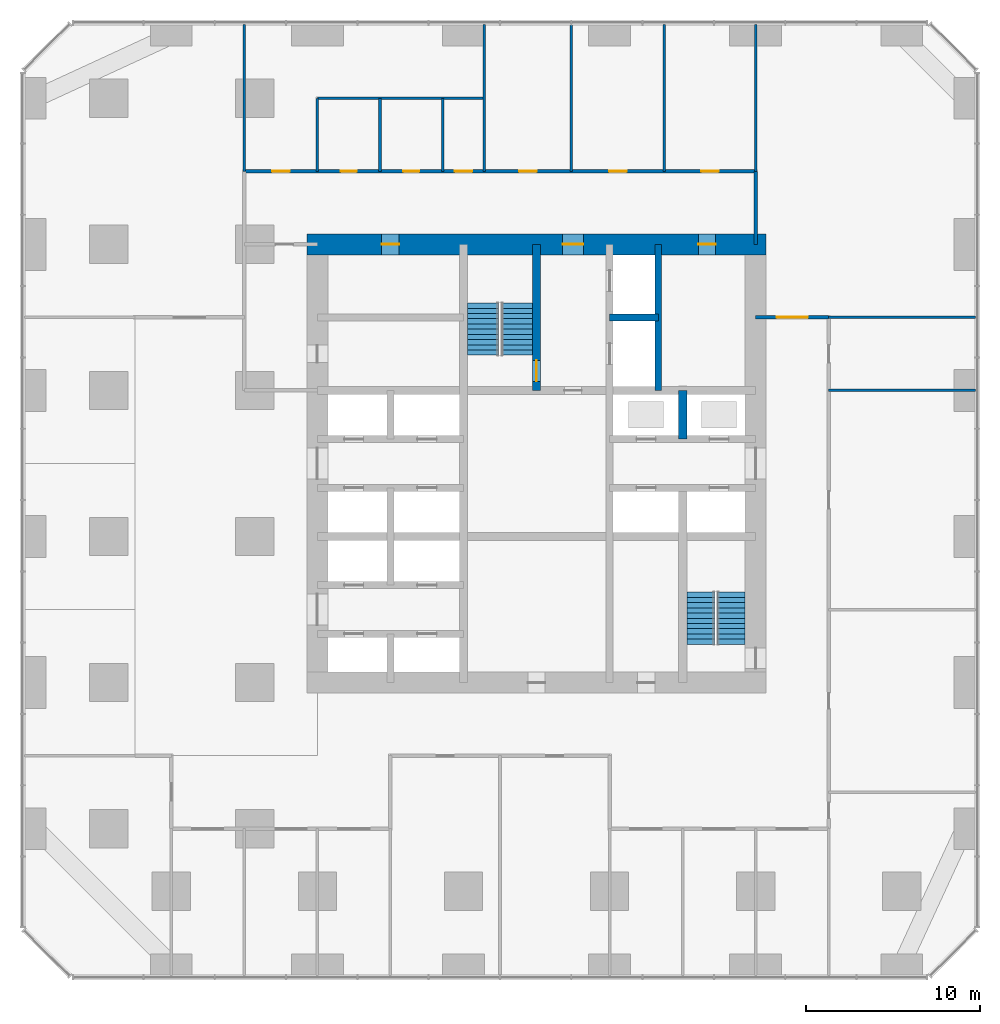
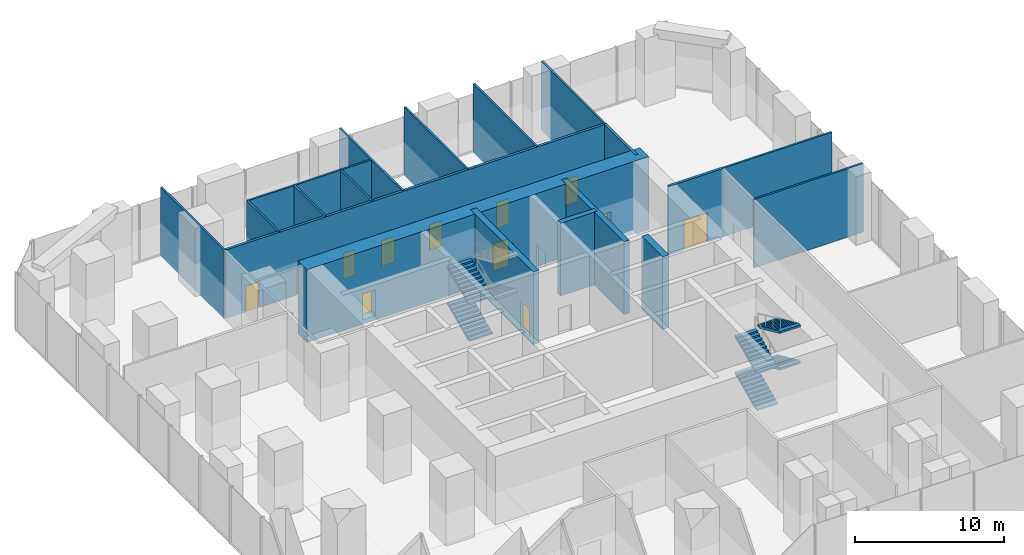
# One storey, part 9 of 13: 19 walls, 12 doors, 7 stair flights, 12 openings, 2 elements without a shape of their own.
"""IFC4 building model written with IfcOpenShell, lengths in metres."""

from ifc_helpers import new_model, si_unit, direction, frame, frame_2d, origin, place, context, subcontext, project, spatial, polyline, rectangle, outline, extrude, material, layer, layer_set, type_object, element, fill, aggregate, save


model = new_model("IFC4")

# Units and contexts
model_context = context("Model", 3, precision=1e-05, world=origin(), true_north=direction((0.0, 1.0)))
body_context = subcontext(model_context, "Body", "Model", "MODEL_VIEW")
ifc_project = project(units=[si_unit("LENGTHUNIT", "METRE"), si_unit("AREAUNIT", "SQUARE_METRE"), si_unit("VOLUMEUNIT", "CUBIC_METRE"), si_unit("PLANEANGLEUNIT", "RADIAN"), si_unit("MASSUNIT", "GRAM", prefix="KILO")], contexts=[model_context])

# Site, building, storey
site_placement = place(None, origin())
site = spatial("IfcSite", under=ifc_project, at=site_placement, CompositionType="ELEMENT")
building_placement = place(site_placement, origin())
building = spatial("IfcBuilding", under=site, at=building_placement, Name="Dunama Terrace Hotel", CompositionType="ELEMENT")
storey_placement = place(building_placement, frame((0.0, 0.0, 147.60009765625)))
storey = spatial("IfcBuildingStorey", under=building, at=storey_placement, Name="L38", CompositionType="ELEMENT", Elevation=147.60009765625)

# Walls
ifc_material_1 = material(Name="Concrete C50/60", Category="concrete")
ifc_layer_1 = layer(ifc_material_1, 0.39990234375)
ifc_layer_set_1 = layer_set([ifc_layer_1], Name="Core inner wall 400")
wall_type_1 = type_object("IfcWallType", Name="Core inner wall 400", PredefinedType="SHEAR", material=ifc_layer_set_1)
wall_1_placement = place(storey_placement, frame((36.39990234375, 33.60009765625, -0.35009765625), z_axis=(0.0, 0.0, 1.0), x_axis=(0.0, 1.0, 0.0)))
element("IfcWall", 1, at=wall_1_placement, inside=storey, type_object=wall_type_1, Name="Core inner wall 400 L38", PredefinedType="SHEAR", context=body_context, shape_type="SweptSolid", body=[
    extrude(rectangle(XDim=8.39990234375, YDim=0.39990234375, at=frame_2d((4.199951171875, 0.0))), origin(), (0.0, 0.0, 1.0), 5.949951171875),
])
wall_2_placement = place(storey_placement, frame((33.60009765625, 37.800048828125, -0.35009765625), z_axis=(0.0, 0.0, 1.0), x_axis=(1.0, 0.0, 0.0)))
element("IfcWall", 2, at=wall_2_placement, inside=storey, type_object=wall_type_1, Name="Core inner wall 400 L38", PredefinedType="SHEAR", context=body_context, shape_type="SweptSolid", body=[
    extrude(rectangle(XDim=2.7998046875, YDim=0.39990234375, at=frame_2d((1.39990234375, 0.0))), origin(), (0.0, 0.0, 1.0), 5.949951171875),
])

# Wall, opening, door
ifc_material_2 = material(Name="Concrete C50/60", Category="concrete")
ifc_layer_2 = layer(ifc_material_2, 0.449951171875)
ifc_layer_set_2 = layer_set([ifc_layer_2], Name="Core inner wall 450")
wall_type_2 = type_object("IfcWallType", Name="Core inner wall 450", PredefinedType="SHEAR", material=ifc_layer_set_2)
wall_3_placement = place(storey_placement, frame((29.39990234375, 33.60009765625, -0.35009765625), z_axis=(0.0, 0.0, 1.0), x_axis=(0.0, 1.0, 0.0)))
wall_3 = element("IfcWall", 3, at=wall_3_placement, inside=storey, type_object=wall_type_2, Name="Core inner wall 450 L38", PredefinedType="SHEAR", context=body_context, shape_type="SweptSolid", body=[
    extrude(rectangle(XDim=8.39990234375, YDim=0.449951171875, at=frame_2d((4.199951171875, 0.0))), origin(), (0.0, 0.0, 1.0), 5.949951171875),
])
opening_1_placement = place(wall_3_placement, frame((0.52490234375, 0.0, 0.35009765625)))
opening_1 = element("IfcOpeningElement", 4, at=opening_1_placement, cuts=wall_3, Name="Opening L38-001", PredefinedType="OPENING", context=body_context, shape_type="SweptSolid", body=[
    extrude(rectangle(XDim=1.199951171875, YDim=2.199951171875, at=frame_2d((0.60009765625, 1.10009765625))), frame((0.0, 0.23486328125, 0.0), z_axis=(0.0, -1.0, 0.0), x_axis=(1.0, 0.0, 0.0)), (0.0, 0.0, 1.0), 0.469970703125),
])
ifc_material_3 = material(Name="Timber door with steel frame", Category="steel")
door_type_1 = type_object("IfcDoorType", Name="Stair door 1200", OperationType="SINGLE_SWING_LEFT", PredefinedType="DOOR", material=ifc_material_3)
door_1_placement = place(opening_1_placement, origin())
door_1 = element("IfcDoor", 5, at=door_1_placement, inside=storey, type_object=door_type_1, Name="Stair door ST1 L38-001, type D5", OperationType="SINGLE_SWING_LEFT", OverallHeight=2.199951171875, OverallWidth=1.199951171875, PredefinedType="DOOR", context=body_context, shape_type="SweptSolid", body=[
    extrude(rectangle(XDim=1.199951171875, YDim=2.199951171875, at=frame_2d((0.60009765625, 1.10009765625))), frame((0.0, 0.02490234375, 0.0), z_axis=(0.0, -1.0, 0.0), x_axis=(1.0, 0.0, 0.0)), (0.0, 0.0, 1.0), 0.050048828125),
])
fill(opening_1, door_1)

# Wall
ifc_material_4 = material(Name="Concrete C50/60", Category="concrete")
ifc_layer_3 = layer(ifc_material_4, 0.5)
ifc_layer_set_3 = layer_set([ifc_layer_3], Name="Core inner wall 500")
wall_type_3 = type_object("IfcWallType", Name="Core inner wall 500", PredefinedType="SHEAR", material=ifc_layer_set_3)
wall_4_placement = place(storey_placement, frame((37.800048828125, 30.800048828125, -0.35009765625), z_axis=(0.0, 0.0, 1.0), x_axis=(0.0, 1.0, 0.0)))
element("IfcWall", 6, at=wall_4_placement, inside=storey, type_object=wall_type_3, Name="Core inner wall 500 L38", PredefinedType="SHEAR", context=body_context, shape_type="SweptSolid", body=[
    extrude(rectangle(XDim=2.800048828125, YDim=0.5, at=frame_2d((1.39990234375, 0.0))), origin(), (0.0, 0.0, 1.0), 5.949951171875),
])

# Wall, openings, doors
ifc_material_5 = material(Name="Concrete C60/75", Category="concrete")
ifc_layer_4 = layer(ifc_material_5, 1.199951171875)
ifc_layer_set_4 = layer_set([ifc_layer_4], Name="Core wall 1200")
wall_type_4 = type_object("IfcWallType", Name="Core wall 1200", PredefinedType="SHEAR", material=ifc_layer_set_4)
wall_5_placement = place(storey_placement, frame((42.60009765625, 42.0, -0.35009765625), z_axis=(0.0, 0.0, 1.0), x_axis=(-1.0, 0.0, 0.0)))
wall_5 = element("IfcWall", 7, at=wall_5_placement, inside=storey, type_object=wall_type_4, Name="Core wall north L38", PredefinedType="SHEAR", context=body_context, shape_type="SweptSolid", body=[
    extrude(rectangle(XDim=26.400146484375, YDim=1.199951171875, at=frame_2d((13.2001953125, 0.0))), origin(), (0.0, 0.0, 1.0), 5.949951171875),
])
opening_2_placement = place(wall_5_placement, frame((21.10009765625, 0.0, 0.35009765625)))
opening_2 = element("IfcOpeningElement", 8, at=opening_2_placement, cuts=wall_5, Name="Opening L38-020", PredefinedType="OPENING", context=body_context, shape_type="SweptSolid", body=[
    extrude(rectangle(XDim=1.0, YDim=2.10009765625, at=frame_2d((0.5, 1.050048828125))), frame((0.0, 0.60986328125, 0.0), z_axis=(0.0, -1.0, 0.0), x_axis=(1.0, 0.0, 0.0)), (0.0, 0.0, 1.0), 1.219970703125),
])
opening_3_placement = place(wall_5_placement, frame((10.5, 0.0, 0.35009765625)))
opening_3 = element("IfcOpeningElement", 9, at=opening_3_placement, cuts=wall_5, Name="Opening L38-023", PredefinedType="OPENING", context=body_context, shape_type="SweptSolid", body=[
    extrude(rectangle(XDim=1.199951171875, YDim=2.199951171875, at=frame_2d((0.60009765625, 1.10009765625))), frame((0.0, 0.60986328125, 0.0), z_axis=(0.0, -1.0, 0.0), x_axis=(1.0, 0.0, 0.0)), (0.0, 0.0, 1.0), 1.219970703125),
])
opening_4_placement = place(wall_5_placement, frame((2.89990234375, 0.0, 0.35009765625)))
opening_4 = element("IfcOpeningElement", 10, at=opening_4_placement, cuts=wall_5, Name="Opening L38-024", PredefinedType="OPENING", context=body_context, shape_type="SweptSolid", body=[
    extrude(rectangle(XDim=1.0, YDim=2.10009765625, at=frame_2d((0.5, 1.050048828125))), frame((0.0, 0.60986328125, 0.0), z_axis=(0.0, -1.0, 0.0), x_axis=(1.0, 0.0, 0.0)), (0.0, 0.0, 1.0), 1.219970703125),
])
ifc_material_6 = material(Name="Timber door with steel frame", Category="steel")
door_type_2 = type_object("IfcDoorType", Name="Firefighting lobby door 1200", OperationType="SINGLE_SWING_LEFT", PredefinedType="DOOR", material=ifc_material_6)
door_2_placement = place(opening_3_placement, origin())
door_2 = element("IfcDoor", 11, at=door_2_placement, inside=storey, type_object=door_type_2, Name="Door to firefighting lobby L38-023, type D4", OperationType="SINGLE_SWING_RIGHT", OverallHeight=2.199951171875, OverallWidth=1.199951171875, PredefinedType="DOOR", context=body_context, shape_type="SweptSolid", body=[
    extrude(rectangle(XDim=1.199951171875, YDim=2.199951171875, at=frame_2d((0.60009765625, 1.10009765625))), frame((0.0, 0.02490234375, 0.0), z_axis=(0.0, -1.0, 0.0), x_axis=(1.0, 0.0, 0.0)), (0.0, 0.0, 1.0), 0.050048828125),
])
fill(opening_3, door_2)
ifc_material_7 = material(Name="Timber door with steel frame", Category="steel")
door_type_3 = type_object("IfcDoorType", Name="Service door 1000", OperationType="SINGLE_SWING_LEFT", PredefinedType="DOOR", material=ifc_material_7)
door_3_placement = place(opening_2_placement, origin())
door_3 = element("IfcDoor", 12, at=door_3_placement, inside=storey, type_object=door_type_3, Name="Door to communications and riser room L38-020, type D7", OperationType="SINGLE_SWING_LEFT", OverallHeight=2.10009765625, OverallWidth=1.0, PredefinedType="DOOR", context=body_context, shape_type="SweptSolid", body=[
    extrude(rectangle(XDim=1.0, YDim=2.10009765625, at=frame_2d((0.5, 1.050048828125))), frame((0.0, 0.02490234375, 0.0), z_axis=(0.0, -1.0, 0.0), x_axis=(1.0, 0.0, 0.0)), (0.0, 0.0, 1.0), 0.050048828125),
])
fill(opening_2, door_3)
door_4_placement = place(opening_4_placement, origin())
door_4 = element("IfcDoor", 13, at=door_4_placement, inside=storey, type_object=door_type_3, Name="Door to fitness equipment store L38-024, type D7", OperationType="SINGLE_SWING_LEFT", OverallHeight=2.10009765625, OverallWidth=1.0, PredefinedType="DOOR", context=body_context, shape_type="SweptSolid", body=[
    extrude(rectangle(XDim=1.0, YDim=2.10009765625, at=frame_2d((0.5, 1.050048828125))), frame((0.0, 0.02490234375, 0.0), z_axis=(0.0, -1.0, 0.0), x_axis=(1.0, 0.0, 0.0)), (0.0, 0.0, 1.0), 0.050048828125),
])
fill(opening_4, door_4)

# Wall
ifc_material_8 = material(Name="Concrete blockwork", Category="masonry")
ifc_layer_5 = layer(ifc_material_8, 0.199951171875)
ifc_layer_set_5 = layer_set([ifc_layer_5], Name="Corridor partition 200")
wall_type_5 = type_object("IfcWallType", Name="Corridor partition 200", PredefinedType="PARTITIONING", material=ifc_layer_set_5)
wall_6_placement = place(storey_placement, frame((42.0, 42.0, 0.0), z_axis=(0.0, 0.0, 1.0), x_axis=(0.0, 1.0, 0.0)))
element("IfcWall", 14, at=wall_6_placement, inside=storey, type_object=wall_type_5, Name="Corridor partition 200 L38", PredefinedType="PARTITIONING", context=body_context, shape_type="SweptSolid", body=[
    extrude(rectangle(XDim=4.199951171875, YDim=0.199951171875, at=frame_2d((2.10009765625, 0.0))), origin(), (0.0, 0.0, 1.0), 5.599853515625),
])

# Wall, openings, doors
wall_7_placement = place(storey_placement, frame((12.60009765625, 46.199951171875, 0.0), z_axis=(0.0, 0.0, 1.0), x_axis=(1.0, 0.0, 0.0)))
wall_7 = element("IfcWall", 15, at=wall_7_placement, inside=storey, type_object=wall_type_5, Name="Corridor partition 200 L38", PredefinedType="PARTITIONING", context=body_context, shape_type="SweptSolid", body=[
    extrude(rectangle(XDim=29.39990234375, YDim=0.199951171875, at=frame_2d((14.699951171875, 0.0))), origin(), (0.0, 0.0, 1.0), 5.599853515625),
])
opening_5_placement = place(wall_7_placement, frame((5.550048828125, 0.0, 0.0)))
opening_5 = element("IfcOpeningElement", 16, at=opening_5_placement, cuts=wall_7, Name="Opening L38-043", PredefinedType="OPENING", context=body_context, shape_type="SweptSolid", body=[
    extrude(rectangle(XDim=0.89990234375, YDim=2.10009765625, at=frame_2d((0.449951171875, 1.050048828125))), frame((0.0, 0.10986328125, 0.0), z_axis=(0.0, -1.0, 0.0), x_axis=(1.0, 0.0, 0.0)), (0.0, 0.0, 1.0), 0.219970703125),
])
opening_6_placement = place(wall_7_placement, frame((9.14990234375, 0.0, 0.0)))
opening_6 = element("IfcOpeningElement", 17, at=opening_6_placement, cuts=wall_7, Name="Opening L38-044", PredefinedType="OPENING", context=body_context, shape_type="SweptSolid", body=[
    extrude(rectangle(XDim=0.89990234375, YDim=2.10009765625, at=frame_2d((0.449951171875, 1.050048828125))), frame((0.0, 0.10986328125, 0.0), z_axis=(0.0, -1.0, 0.0), x_axis=(1.0, 0.0, 0.0)), (0.0, 0.0, 1.0), 0.219970703125),
])
opening_7_placement = place(wall_7_placement, frame((12.10009765625, 0.0, 0.0)))
opening_7 = element("IfcOpeningElement", 18, at=opening_7_placement, cuts=wall_7, Name="Opening L38-045", PredefinedType="OPENING", context=body_context, shape_type="SweptSolid", body=[
    extrude(rectangle(XDim=1.0, YDim=2.10009765625, at=frame_2d((0.5, 1.050048828125))), frame((0.0, 0.10986328125, 0.0), z_axis=(0.0, -1.0, 0.0), x_axis=(1.0, 0.0, 0.0)), (0.0, 0.0, 1.0), 0.219970703125),
])
opening_8_placement = place(wall_7_placement, frame((15.800048828125, 0.0, 0.0)))
opening_8 = element("IfcOpeningElement", 19, at=opening_8_placement, cuts=wall_7, Name="Opening L38-046", PredefinedType="OPENING", context=body_context, shape_type="SweptSolid", body=[
    extrude(rectangle(XDim=1.0, YDim=2.10009765625, at=frame_2d((0.5, 1.050048828125))), frame((0.0, 0.10986328125, 0.0), z_axis=(0.0, -1.0, 0.0), x_axis=(1.0, 0.0, 0.0)), (0.0, 0.0, 1.0), 0.219970703125),
])
opening_9_placement = place(wall_7_placement, frame((20.97509765625, 0.0, 0.0)))
opening_9 = element("IfcOpeningElement", 20, at=opening_9_placement, cuts=wall_7, Name="Opening L38-047", PredefinedType="OPENING", context=body_context, shape_type="SweptSolid", body=[
    extrude(rectangle(XDim=1.0, YDim=2.10009765625, at=frame_2d((0.5, 1.050048828125))), frame((0.0, 0.10986328125, 0.0), z_axis=(0.0, -1.0, 0.0), x_axis=(1.0, 0.0, 0.0)), (0.0, 0.0, 1.0), 0.219970703125),
])
opening_10_placement = place(wall_7_placement, frame((26.27490234375, 0.0, 0.0)))
opening_10 = element("IfcOpeningElement", 21, at=opening_10_placement, cuts=wall_7, Name="Opening L38-048", PredefinedType="OPENING", context=body_context, shape_type="SweptSolid", body=[
    extrude(rectangle(XDim=1.0, YDim=2.10009765625, at=frame_2d((0.5, 1.050048828125))), frame((0.0, 0.10986328125, 0.0), z_axis=(0.0, -1.0, 0.0), x_axis=(1.0, 0.0, 0.0)), (0.0, 0.0, 1.0), 0.219970703125),
])
opening_11_placement = place(wall_7_placement, frame((1.60009765625, 0.0, 0.0)))
opening_11 = element("IfcOpeningElement", 22, at=opening_11_placement, cuts=wall_7, Name="Opening L38-049", PredefinedType="OPENING", context=body_context, shape_type="SweptSolid", body=[
    extrude(rectangle(XDim=1.0, YDim=2.10009765625, at=frame_2d((0.5, 1.050048828125))), frame((0.0, 0.10986328125, 0.0), z_axis=(0.0, -1.0, 0.0), x_axis=(1.0, 0.0, 0.0)), (0.0, 0.0, 1.0), 0.219970703125),
])
ifc_material_9 = material(Name="Timber door with steel frame", Category="steel")
door_type_4 = type_object("IfcDoorType", Name="Accessible room door 1000", OperationType="SINGLE_SWING_LEFT", PredefinedType="DOOR", material=ifc_material_9)
door_5_placement = place(opening_7_placement, origin())
door_5 = element("IfcDoor", 23, at=door_5_placement, inside=storey, type_object=door_type_4, Name="Door to accessible wc L38-045, type D17", OperationType="SINGLE_SWING_LEFT", OverallHeight=2.10009765625, OverallWidth=1.0, PredefinedType="DOOR", context=body_context, shape_type="SweptSolid", body=[
    extrude(rectangle(XDim=1.0, YDim=2.10009765625, at=frame_2d((0.5, 1.050048828125))), frame((0.0, 0.02490234375, 0.0), z_axis=(0.0, -1.0, 0.0), x_axis=(1.0, 0.0, 0.0)), (0.0, 0.0, 1.0), 0.050048828125),
])
fill(opening_7, door_5)
door_6_placement = place(opening_8_placement, origin())
door_6 = element("IfcDoor", 24, at=door_6_placement, inside=storey, type_object=door_type_3, Name="Door to spa treatment room 7 L38-046, type D7", OperationType="SINGLE_SWING_RIGHT", OverallHeight=2.10009765625, OverallWidth=1.0, PredefinedType="DOOR", context=body_context, shape_type="SweptSolid", body=[
    extrude(rectangle(XDim=1.0, YDim=2.10009765625, at=frame_2d((0.5, 1.050048828125))), frame((0.0, 0.02490234375, 0.0), z_axis=(0.0, -1.0, 0.0), x_axis=(1.0, 0.0, 0.0)), (0.0, 0.0, 1.0), 0.050048828125),
])
fill(opening_8, door_6)
door_7_placement = place(opening_9_placement, origin())
door_7 = element("IfcDoor", 25, at=door_7_placement, inside=storey, type_object=door_type_3, Name="Door to spa treatment room 8 L38-047, type D7", OperationType="SINGLE_SWING_RIGHT", OverallHeight=2.10009765625, OverallWidth=1.0, PredefinedType="DOOR", context=body_context, shape_type="SweptSolid", body=[
    extrude(rectangle(XDim=1.0, YDim=2.10009765625, at=frame_2d((0.5, 1.050048828125))), frame((0.0, 0.02490234375, 0.0), z_axis=(0.0, -1.0, 0.0), x_axis=(1.0, 0.0, 0.0)), (0.0, 0.0, 1.0), 0.050048828125),
])
fill(opening_9, door_7)
door_8_placement = place(opening_10_placement, origin())
door_8 = element("IfcDoor", 26, at=door_8_placement, inside=storey, type_object=door_type_3, Name="Door to spa treatment room 9 L38-048, type D7", OperationType="SINGLE_SWING_RIGHT", OverallHeight=2.10009765625, OverallWidth=1.0, PredefinedType="DOOR", context=body_context, shape_type="SweptSolid", body=[
    extrude(rectangle(XDim=1.0, YDim=2.10009765625, at=frame_2d((0.5, 1.050048828125))), frame((0.0, 0.02490234375, 0.0), z_axis=(0.0, -1.0, 0.0), x_axis=(1.0, 0.0, 0.0)), (0.0, 0.0, 1.0), 0.050048828125),
])
fill(opening_10, door_8)
door_9_placement = place(opening_11_placement, origin())
door_9 = element("IfcDoor", 27, at=door_9_placement, inside=storey, type_object=door_type_3, Name="Door to nail and beauty spa treatment room L38-049, type D7", OperationType="SINGLE_SWING_LEFT", OverallHeight=2.10009765625, OverallWidth=1.0, PredefinedType="DOOR", context=body_context, shape_type="SweptSolid", body=[
    extrude(rectangle(XDim=1.0, YDim=2.10009765625, at=frame_2d((0.5, 1.050048828125))), frame((0.0, 0.02490234375, 0.0), z_axis=(0.0, -1.0, 0.0), x_axis=(1.0, 0.0, 0.0)), (0.0, 0.0, 1.0), 0.050048828125),
])
fill(opening_11, door_9)
ifc_material_10 = material(Name="Timber door with steel frame", Category="steel")
door_type_5 = type_object("IfcDoorType", Name="WC door 900", OperationType="SINGLE_SWING_LEFT", PredefinedType="DOOR", material=ifc_material_10)
door_10_placement = place(opening_5_placement, origin())
door_10 = element("IfcDoor", 28, at=door_10_placement, inside=storey, type_object=door_type_5, Name="Door to male wc L38-043, type D6", OperationType="SINGLE_SWING_LEFT", OverallHeight=2.10009765625, OverallWidth=0.89990234375, PredefinedType="DOOR", context=body_context, shape_type="SweptSolid", body=[
    extrude(rectangle(XDim=0.89990234375, YDim=2.10009765625, at=frame_2d((0.449951171875, 1.050048828125))), frame((0.0, 0.02490234375, 0.0), z_axis=(0.0, -1.0, 0.0), x_axis=(1.0, 0.0, 0.0)), (0.0, 0.0, 1.0), 0.050048828125),
])
fill(opening_5, door_10)
door_11_placement = place(opening_6_placement, origin())
door_11 = element("IfcDoor", 29, at=door_11_placement, inside=storey, type_object=door_type_5, Name="Door to female wc L38-044, type D6", OperationType="SINGLE_SWING_LEFT", OverallHeight=2.10009765625, OverallWidth=0.89990234375, PredefinedType="DOOR", context=body_context, shape_type="SweptSolid", body=[
    extrude(rectangle(XDim=0.89990234375, YDim=2.10009765625, at=frame_2d((0.449951171875, 1.050048828125))), frame((0.0, 0.02490234375, 0.0), z_axis=(0.0, -1.0, 0.0), x_axis=(1.0, 0.0, 0.0)), (0.0, 0.0, 1.0), 0.050048828125),
])
fill(opening_6, door_11)

# Wall, opening, door
wall_8_placement = place(storey_placement, frame((46.199951171875, 37.800048828125, 0.0), z_axis=(0.0, 0.0, 1.0), x_axis=(-1.0, 0.0, 0.0)))
wall_8 = element("IfcWall", 30, at=wall_8_placement, inside=storey, type_object=wall_type_5, Name="Corridor partition 200 L38", PredefinedType="PARTITIONING", context=body_context, shape_type="SweptSolid", body=[
    extrude(rectangle(XDim=4.199951171875, YDim=0.199951171875, at=frame_2d((2.10009765625, 0.0))), origin(), (0.0, 0.0, 1.0), 5.599853515625),
])
opening_12_placement = place(wall_8_placement, frame((1.199951171875, 0.0, 0.0)))
opening_12 = element("IfcOpeningElement", 31, at=opening_12_placement, cuts=wall_8, Name="Opening L38-041", PredefinedType="OPENING", context=body_context, shape_type="SweptSolid", body=[
    extrude(rectangle(XDim=1.800048828125, YDim=2.39990234375, at=frame_2d((0.89990234375, 1.199951171875))), frame((0.0, 0.10986328125, 0.0), z_axis=(0.0, -1.0, 0.0), x_axis=(1.0, 0.0, 0.0)), (0.0, 0.0, 1.0), 0.219970703125),
])
ifc_material_11 = material(Name="Aluminium-framed glazed door", Category="aluminium")
door_type_6 = type_object("IfcDoorType", Name="Glazed double door 1800", OperationType="DOUBLE_DOOR_DOUBLE_SWING", PredefinedType="DOOR", material=ifc_material_11)
door_12_placement = place(opening_12_placement, origin())
door_12 = element("IfcDoor", 32, at=door_12_placement, inside=storey, type_object=door_type_6, Name="Door to sky restaurant L38-041, type D8", OperationType="DOUBLE_DOOR_DOUBLE_SWING", OverallHeight=2.39990234375, OverallWidth=1.800048828125, PredefinedType="DOOR", context=body_context, shape_type="SweptSolid", body=[
    extrude(rectangle(XDim=1.800048828125, YDim=2.39990234375, at=frame_2d((0.89990234375, 1.199951171875))), frame((0.0, 0.02490234375, 0.0), z_axis=(0.0, -1.0, 0.0), x_axis=(1.0, 0.0, 0.0)), (0.0, 0.0, 1.0), 0.050048828125),
])
fill(opening_12, door_12)

# Walls
ifc_material_12 = material(Name="Gypsum board partition", Category="masonry")
ifc_layer_6 = layer(ifc_material_12, 0.14990234375)
ifc_layer_set_6 = layer_set([ifc_layer_6], Name="Room partition 150")
wall_type_6 = type_object("IfcWallType", Name="Room partition 150", PredefinedType="PARTITIONING", material=ifc_layer_set_6)
wall_9_placement = place(storey_placement, frame((12.60009765625, 46.199951171875, 0.0), z_axis=(0.0, 0.0, 1.0), x_axis=(0.0, 1.0, 0.0)))
element("IfcWall", 33, at=wall_9_placement, inside=storey, type_object=wall_type_6, Name="Room partition 150 L38", PredefinedType="PARTITIONING", context=body_context, shape_type="SweptSolid", body=[
    extrude(rectangle(XDim=8.43798828125, YDim=0.14990234375, at=frame_2d((4.218994140625, 0.0))), origin(), (0.0, 0.0, 1.0), 5.599853515625),
])
for number, where, z_axis, x_axis, name in (
    (34, (16.800048828125, 46.199951171875, 0.0), (0.0, 0.0, 1.0), (0.0, 1.0, 0.0), "Room partition 150 L38"),
    (35, (20.39990234375, 46.199951171875, 0.0), (0.0, 0.0, 1.0), (0.0, 1.0, 0.0), "Room partition 150 L38"),
    (36, (24.0, 46.199951171875, 0.0), (0.0, 0.0, 1.0), (0.0, 1.0, 0.0), "Room partition 150 L38"),
):
    element("IfcWall", number, at=place(storey_placement, frame(where, z_axis=z_axis, x_axis=x_axis)), inside=storey, type_object=wall_type_6, Name=name, PredefinedType="PARTITIONING", context=body_context, shape_type="SweptSolid", body=[
        extrude(rectangle(XDim=4.199951171875, YDim=0.14990234375, at=frame_2d((2.10009765625, 0.0))), origin(), (0.0, 0.0, 1.0), 5.599853515625),
    ])
wall_10_placement = place(storey_placement, frame((26.39990234375, 46.199951171875, 0.0), z_axis=(0.0, 0.0, 1.0), x_axis=(0.0, 1.0, 0.0)))
element("IfcWall", 37, at=wall_10_placement, inside=storey, type_object=wall_type_6, Name="Room partition 150 L38", PredefinedType="PARTITIONING", context=body_context, shape_type="SweptSolid", body=[
    extrude(rectangle(XDim=8.43798828125, YDim=0.14990234375, at=frame_2d((4.218994140625, 0.0))), origin(), (0.0, 0.0, 1.0), 5.599853515625),
])
wall_11_placement = place(storey_placement, frame((31.39990234375, 46.199951171875, 0.0), z_axis=(0.0, 0.0, 1.0), x_axis=(0.0, 1.0, 0.0)))
element("IfcWall", 38, at=wall_11_placement, inside=storey, type_object=wall_type_6, Name="Room partition 150 L38", PredefinedType="PARTITIONING", context=body_context, shape_type="SweptSolid", body=[
    extrude(rectangle(XDim=8.400146484375, YDim=0.14990234375, at=frame_2d((4.2001953125, 0.0))), origin(), (0.0, 0.0, 1.0), 5.599853515625),
])
for number, where, z_axis, x_axis, name in (
    (39, (36.75, 46.199951171875, 0.0), (0.0, 0.0, 1.0), (0.0, 1.0, 0.0), "Room partition 150 L38"),
    (40, (42.0, 46.199951171875, 0.0), (0.0, 0.0, 1.0), (0.0, 1.0, 0.0), "Room partition 150 L38"),
    (41, (46.199951171875, 33.60009765625, 0.0), (0.0, 0.0, 1.0), (1.0, 0.0, 0.0), "Room partition 150 L38"),
    (42, (46.199951171875, 37.800048828125, 0.0), (0.0, 0.0, 1.0), (1.0, 0.0, 0.0), "Room partition 150 L38"),
):
    element("IfcWall", number, at=place(storey_placement, frame(where, z_axis=z_axis, x_axis=x_axis)), inside=storey, type_object=wall_type_6, Name=name, PredefinedType="PARTITIONING", context=body_context, shape_type="SweptSolid", body=[
        extrude(rectangle(XDim=8.43798828125, YDim=0.14990234375, at=frame_2d((4.218994140625, 0.0))), origin(), (0.0, 0.0, 1.0), 5.599853515625),
    ])
wall_12_placement = place(storey_placement, frame((16.800048828125, 50.39990234375, 0.0), z_axis=(0.0, 0.0, 1.0), x_axis=(1.0, 0.0, 0.0)))
element("IfcWall", 43, at=wall_12_placement, inside=storey, type_object=wall_type_6, Name="Room partition 150 L38", PredefinedType="PARTITIONING", context=body_context, shape_type="SweptSolid", body=[
    extrude(rectangle(XDim=9.599853515625, YDim=0.14990234375, at=frame_2d((4.7998046875, 0.0))), origin(), (0.0, 0.0, 1.0), 5.599853515625),
])

# Stair, stair flights
ifc_material_13 = material(Name="Concrete C40/50", Category="concrete")
stair_type_1 = type_object("IfcStairType", Name="Stair ST1-6000-1800", PredefinedType="HALF_TURN_STAIR", material=ifc_material_13)
stair_1_placement = place(storey_placement, origin())
stair_1 = element("IfcStair", 44, at=stair_1_placement, inside=storey, type_object=stair_type_1, Name="Stair ST1 L38", PredefinedType="HALF_TURN_STAIR")
ifc_material_14 = material(Name="Concrete C40/50", Category="concrete")
stair_flight_type_1 = type_object("IfcStairFlightType", Name="Stair flight ST1-6000-1800", PredefinedType="STRAIGHT", material=ifc_material_14)
stair_flight_1_placement = place(storey_placement, frame((26.324951171875, 35.625, 0.0), z_axis=(0.0, 0.0, 1.0), x_axis=(0.0, 1.0, 0.0)))
stair_flight_1 = element("IfcStairFlight", 45, at=stair_flight_1_placement, type_object=stair_flight_type_1, Name="ST1 flight 1", NumberOfRisers=11, NumberOfTreads=10, PredefinedType="STRAIGHT", RiserHeight=0.136363636, TreadLength=0.3, context=body_context, shape_type="SweptSolid", body=[
    extrude(outline(polyline([(0.0, 0.0), (0.0, 0.136474609375), (0.300048828125, 0.136474609375), (0.300048828125, 0.272705078125), (0.60009765625, 0.272705078125), (0.60009765625, 0.4091796875), (0.89990234375, 0.4091796875), (0.89990234375, 0.54541015625), (1.199951171875, 0.54541015625), (1.199951171875, 0.681884765625), (1.5, 0.681884765625), (1.5, 0.818115234375), (1.800048828125, 0.818115234375), (1.800048828125, 0.95458984375), (2.10009765625, 0.95458984375), (2.10009765625, 1.0908203125), (2.39990234375, 1.0908203125), (2.39990234375, 1.227294921875), (2.699951171875, 1.227294921875), (2.699951171875, 1.363525390625), (3.0, 1.363525390625), (3.0, 1.5), (3.0, 1.198974609375), (0.3623046875, 0.0), (0.0, 0.0)])), frame((0.0, 0.89990234375, 0.0), z_axis=(0.0, -1.0, 0.0), x_axis=(1.0, 0.0, 0.0)), (0.0, 0.0, 1.0), 1.800048828125),
])
stair_flight_2_placement = place(storey_placement, frame((28.27490234375, 38.625, 1.5), z_axis=(0.0, 0.0, 1.0), x_axis=(0.0, -1.0, 0.0)))
stair_flight_2 = element("IfcStairFlight", 46, at=stair_flight_2_placement, type_object=stair_flight_type_1, Name="ST1 flight 2", NumberOfRisers=11, NumberOfTreads=10, PredefinedType="STRAIGHT", RiserHeight=0.136363636, TreadLength=0.3, context=body_context, shape_type="SweptSolid", body=[
    extrude(outline(polyline([(0.0, 0.0), (0.0, 0.136474609375), (0.300048828125, 0.136474609375), (0.300048828125, 0.272705078125), (0.60009765625, 0.272705078125), (0.60009765625, 0.4091796875), (0.89990234375, 0.4091796875), (0.89990234375, 0.54541015625), (1.199951171875, 0.54541015625), (1.199951171875, 0.681884765625), (1.5, 0.681884765625), (1.5, 0.818115234375), (1.800048828125, 0.818115234375), (1.800048828125, 0.95458984375), (2.10009765625, 0.95458984375), (2.10009765625, 1.0908203125), (2.39990234375, 1.0908203125), (2.39990234375, 1.227294921875), (2.699951171875, 1.227294921875), (2.699951171875, 1.363525390625), (3.0, 1.363525390625), (3.0, 1.5), (3.0, 1.198974609375), (0.3623046875, 0.0), (0.0, 0.0)])), frame((0.0, 0.89990234375, 0.0), z_axis=(0.0, -1.0, 0.0), x_axis=(1.0, 0.0, 0.0)), (0.0, 0.0, 1.0), 1.800048828125),
])
stair_flight_3_placement = place(storey_placement, frame((26.324951171875, 35.625, 3.0), z_axis=(0.0, 0.0, 1.0), x_axis=(0.0, 1.0, 0.0)))
stair_flight_3 = element("IfcStairFlight", 47, at=stair_flight_3_placement, type_object=stair_flight_type_1, Name="ST1 flight 3", NumberOfRisers=11, NumberOfTreads=10, PredefinedType="STRAIGHT", RiserHeight=0.136363636, TreadLength=0.3, context=body_context, shape_type="SweptSolid", body=[
    extrude(outline(polyline([(0.0, 0.0), (0.0, 0.136474609375), (0.300048828125, 0.136474609375), (0.300048828125, 0.272705078125), (0.60009765625, 0.272705078125), (0.60009765625, 0.4091796875), (0.89990234375, 0.4091796875), (0.89990234375, 0.54541015625), (1.199951171875, 0.54541015625), (1.199951171875, 0.681884765625), (1.5, 0.681884765625), (1.5, 0.818115234375), (1.800048828125, 0.818115234375), (1.800048828125, 0.95458984375), (2.10009765625, 0.95458984375), (2.10009765625, 1.0908203125), (2.39990234375, 1.0908203125), (2.39990234375, 1.227294921875), (2.699951171875, 1.227294921875), (2.699951171875, 1.363525390625), (3.0, 1.363525390625), (3.0, 1.5), (3.0, 1.198974609375), (0.3623046875, 0.0), (0.0, 0.0)])), frame((0.0, 0.89990234375, 0.0), z_axis=(0.0, -1.0, 0.0), x_axis=(1.0, 0.0, 0.0)), (0.0, 0.0, 1.0), 1.800048828125),
])
aggregate(stair_1, [stair_flight_1, stair_flight_2, stair_flight_3])

ifc_material_15 = material(Name="Concrete C40/50", Category="concrete")
stair_type_2 = type_object("IfcStairType", Name="Stair ST2-6000-1600", PredefinedType="HALF_TURN_STAIR", material=ifc_material_15)
stair_2_placement = place(storey_placement, origin())
stair_2 = element("IfcStair", 48, at=stair_2_placement, inside=storey, type_object=stair_type_2, Name="Stair ST2 L38", PredefinedType="HALF_TURN_STAIR")
ifc_material_16 = material(Name="Concrete C40/50", Category="concrete")
stair_flight_type_2 = type_object("IfcStairFlightType", Name="Stair flight ST2-6000-1600", PredefinedType="STRAIGHT", material=ifc_material_16)
stair_flight_4_placement = place(storey_placement, frame((38.85009765625, 19.0, 0.0), z_axis=(0.0, 0.0, 1.0), x_axis=(0.0, 1.0, 0.0)))
stair_flight_4 = element("IfcStairFlight", 49, at=stair_flight_4_placement, type_object=stair_flight_type_2, Name="ST2 flight 1", NumberOfRisers=11, NumberOfTreads=10, PredefinedType="STRAIGHT", RiserHeight=0.136363636, TreadLength=0.3, context=body_context, shape_type="SweptSolid", body=[
    extrude(outline(polyline([(0.0, 0.0), (0.0, 0.136474609375), (0.300048828125, 0.136474609375), (0.300048828125, 0.272705078125), (0.60009765625, 0.272705078125), (0.60009765625, 0.4091796875), (0.89990234375, 0.4091796875), (0.89990234375, 0.54541015625), (1.199951171875, 0.54541015625), (1.199951171875, 0.681884765625), (1.5, 0.681884765625), (1.5, 0.818115234375), (1.800048828125, 0.818115234375), (1.800048828125, 0.95458984375), (2.10009765625, 0.95458984375), (2.10009765625, 1.0908203125), (2.39990234375, 1.0908203125), (2.39990234375, 1.227294921875), (2.699951171875, 1.227294921875), (2.699951171875, 1.363525390625), (3.0, 1.363525390625), (3.0, 1.5), (3.0, 1.198974609375), (0.3623046875, 0.0), (0.0, 0.0)])), frame((0.0, 0.800048828125, 0.0), z_axis=(0.0, -1.0, 0.0), x_axis=(1.0, 0.0, 0.0)), (0.0, 0.0, 1.0), 1.60009765625),
])
stair_flight_5_placement = place(storey_placement, frame((40.60009765625, 22.0, 1.5), z_axis=(0.0, 0.0, 1.0), x_axis=(0.0, -1.0, 0.0)))
stair_flight_5 = element("IfcStairFlight", 50, at=stair_flight_5_placement, type_object=stair_flight_type_2, Name="ST2 flight 2", NumberOfRisers=11, NumberOfTreads=10, PredefinedType="STRAIGHT", RiserHeight=0.136363636, TreadLength=0.3, context=body_context, shape_type="SweptSolid", body=[
    extrude(outline(polyline([(0.0, 0.0), (0.0, 0.136474609375), (0.300048828125, 0.136474609375), (0.300048828125, 0.272705078125), (0.60009765625, 0.272705078125), (0.60009765625, 0.4091796875), (0.89990234375, 0.4091796875), (0.89990234375, 0.54541015625), (1.199951171875, 0.54541015625), (1.199951171875, 0.681884765625), (1.5, 0.681884765625), (1.5, 0.818115234375), (1.800048828125, 0.818115234375), (1.800048828125, 0.95458984375), (2.10009765625, 0.95458984375), (2.10009765625, 1.0908203125), (2.39990234375, 1.0908203125), (2.39990234375, 1.227294921875), (2.699951171875, 1.227294921875), (2.699951171875, 1.363525390625), (3.0, 1.363525390625), (3.0, 1.5), (3.0, 1.198974609375), (0.3623046875, 0.0), (0.0, 0.0)])), frame((0.0, 0.800048828125, 0.0), z_axis=(0.0, -1.0, 0.0), x_axis=(1.0, 0.0, 0.0)), (0.0, 0.0, 1.0), 1.60009765625),
])
stair_flight_6_placement = place(storey_placement, frame((38.85009765625, 19.0, 3.0), z_axis=(0.0, 0.0, 1.0), x_axis=(0.0, 1.0, 0.0)))
stair_flight_6 = element("IfcStairFlight", 51, at=stair_flight_6_placement, type_object=stair_flight_type_2, Name="ST2 flight 3", NumberOfRisers=11, NumberOfTreads=10, PredefinedType="STRAIGHT", RiserHeight=0.136363636, TreadLength=0.3, context=body_context, shape_type="SweptSolid", body=[
    extrude(outline(polyline([(0.0, 0.0), (0.0, 0.136474609375), (0.300048828125, 0.136474609375), (0.300048828125, 0.272705078125), (0.60009765625, 0.272705078125), (0.60009765625, 0.4091796875), (0.89990234375, 0.4091796875), (0.89990234375, 0.54541015625), (1.199951171875, 0.54541015625), (1.199951171875, 0.681884765625), (1.5, 0.681884765625), (1.5, 0.818115234375), (1.800048828125, 0.818115234375), (1.800048828125, 0.95458984375), (2.10009765625, 0.95458984375), (2.10009765625, 1.0908203125), (2.39990234375, 1.0908203125), (2.39990234375, 1.227294921875), (2.699951171875, 1.227294921875), (2.699951171875, 1.363525390625), (3.0, 1.363525390625), (3.0, 1.5), (3.0, 1.198974609375), (0.3623046875, 0.0), (0.0, 0.0)])), frame((0.0, 0.800048828125, 0.0), z_axis=(0.0, -1.0, 0.0), x_axis=(1.0, 0.0, 0.0)), (0.0, 0.0, 1.0), 1.60009765625),
])
stair_flight_7_placement = place(storey_placement, frame((40.60009765625, 22.0, 4.5), z_axis=(0.0, 0.0, 1.0), x_axis=(0.0, -1.0, 0.0)))
stair_flight_7 = element("IfcStairFlight", 52, at=stair_flight_7_placement, type_object=stair_flight_type_2, Name="ST2 flight 4", NumberOfRisers=11, NumberOfTreads=10, PredefinedType="STRAIGHT", RiserHeight=0.136363636, TreadLength=0.3, context=body_context, shape_type="SweptSolid", body=[
    extrude(outline(polyline([(0.0, 0.0), (0.0, 0.136474609375), (0.300048828125, 0.136474609375), (0.300048828125, 0.272705078125), (0.60009765625, 0.272705078125), (0.60009765625, 0.4091796875), (0.89990234375, 0.4091796875), (0.89990234375, 0.54541015625), (1.199951171875, 0.54541015625), (1.199951171875, 0.681884765625), (1.5, 0.681884765625), (1.5, 0.818115234375), (1.800048828125, 0.818115234375), (1.800048828125, 0.95458984375), (2.10009765625, 0.95458984375), (2.10009765625, 1.0908203125), (2.39990234375, 1.0908203125), (2.39990234375, 1.227294921875), (2.699951171875, 1.227294921875), (2.699951171875, 1.363525390625), (3.0, 1.363525390625), (3.0, 1.5), (3.0, 1.198974609375), (0.3623046875, 0.0), (0.0, 0.0)])), frame((0.0, 0.800048828125, 0.0), z_axis=(0.0, -1.0, 0.0), x_axis=(1.0, 0.0, 0.0)), (0.0, 0.0, 1.0), 1.60009765625),
])
aggregate(stair_2, [stair_flight_4, stair_flight_5, stair_flight_6, stair_flight_7])

save(model, "model.ifc")
